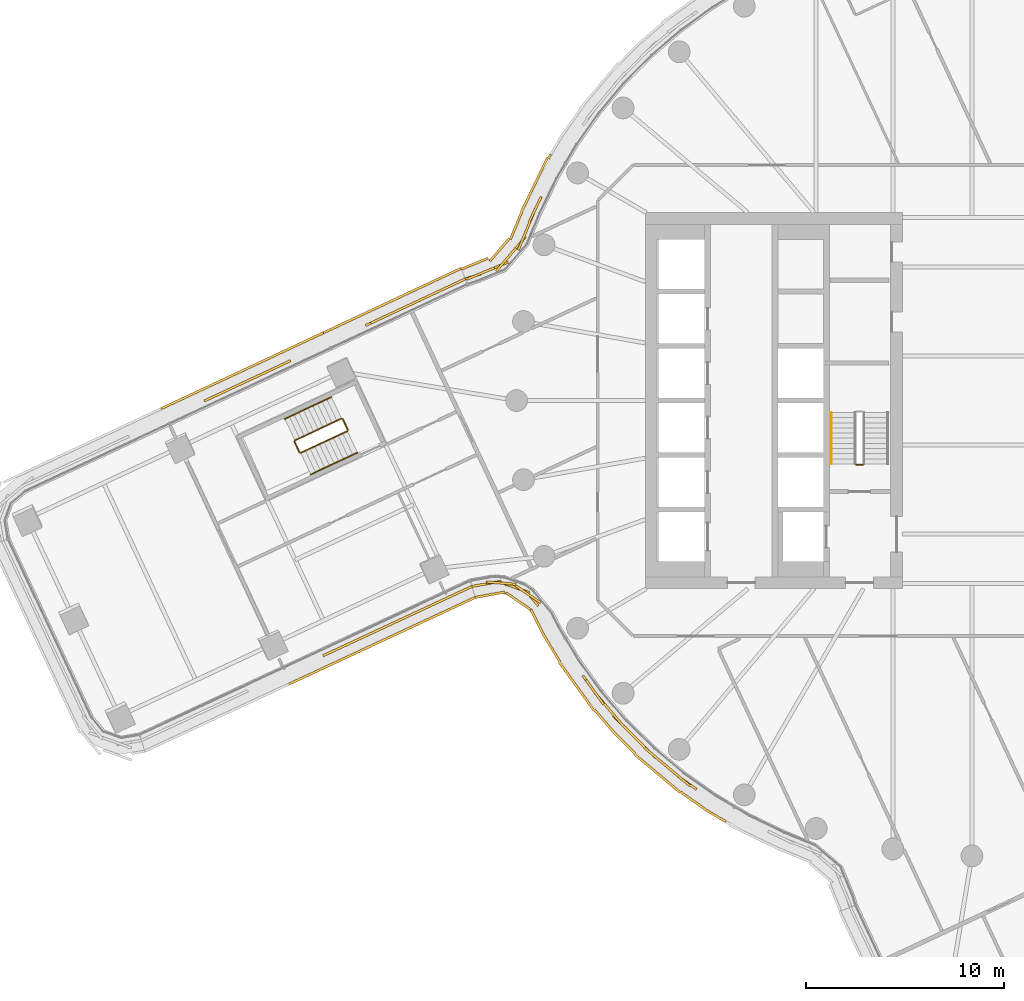
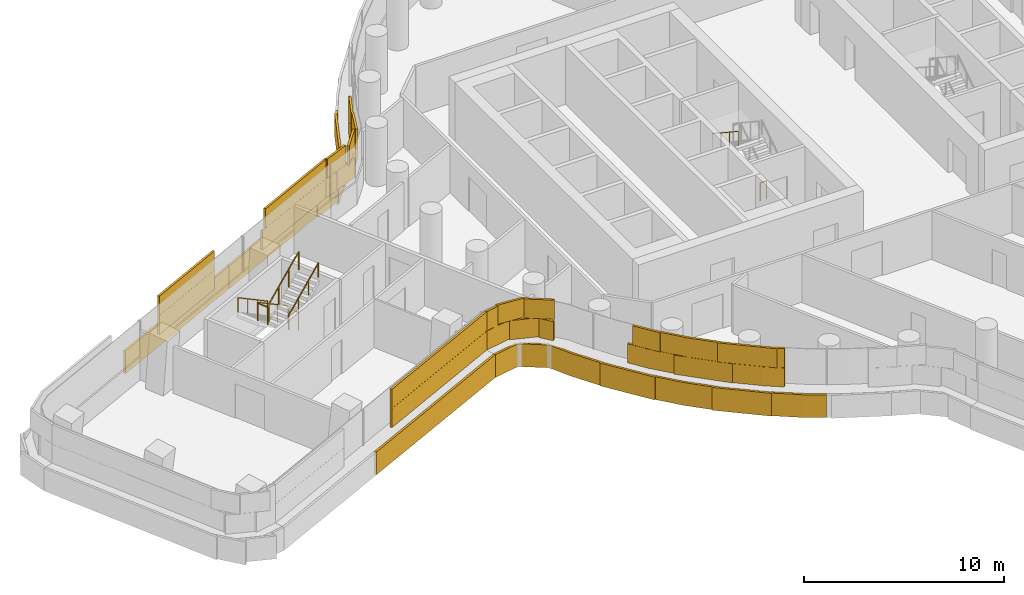
# One storey, part 31 of 36: 8 railings, 5 coverings.
"""IFC4 building model written with IfcOpenShell, lengths in metres."""

from ifc_helpers import new_model, si_unit, direction, frame, origin, origin_2d, place, context, subcontext, project, spatial, rectangle, circle, extrude, material, layer, layer_set, type_object, element, save


model = new_model("IFC4")

# Units and contexts
model_context = context("Model", 3, precision=1e-05, world=origin(), true_north=direction((0.0, 1.0)))
body_context = subcontext(model_context, "Body", "Model", "MODEL_VIEW")
ifc_project = project(units=[si_unit("LENGTHUNIT", "METRE"), si_unit("AREAUNIT", "SQUARE_METRE"), si_unit("VOLUMEUNIT", "CUBIC_METRE"), si_unit("PLANEANGLEUNIT", "RADIAN"), si_unit("MASSUNIT", "GRAM", prefix="KILO")], contexts=[model_context])

# Site, building, storey
site_placement = place(None, origin())
site = spatial("IfcSite", under=ifc_project, at=site_placement, CompositionType="ELEMENT")
building_placement = place(site_placement, origin())
building = spatial("IfcBuilding", under=site, at=building_placement, Name="Tamarind Cross Interchange Tower", CompositionType="ELEMENT")
storey_placement = place(building_placement, frame((0.0, 0.0, 124.75)))
storey = spatial("IfcBuildingStorey", under=building, at=storey_placement, Name="L30", CompositionType="ELEMENT", Elevation=124.75)

# Railings
ifc_material_1 = material(Name="Stair guard")
railing_type_1 = type_object("IfcRailingType", Name="Stair guard", PredefinedType="GUARDRAIL", material=ifc_material_1)
railing_1_placement = place(storey_placement, frame((-5.5, -3.25, 0.0)))
element("IfcRailing", 1, at=railing_1_placement, inside=storey, type_object=railing_type_1, Name="L30 ST1 stair guard 4", PredefinedType="GUARDRAIL", context=body_context, shape_type="SweptSolid", body=[
    extrude(circle(Radius=0.02392578125, at=origin_2d()), frame((0.0, 0.0, 1.076171875), z_axis=(-1.0, 0.0, 0.0), x_axis=(0.0, -1.0, 0.0)), (0.0, 0.0, 1.0), 0.35009765625),
    extrude(circle(Radius=0.02099609375, at=origin_2d()), origin(), (0.0, 0.0, 1.0), 1.052001953125),
    extrude(circle(Radius=0.02099609375, at=origin_2d()), frame((-0.35009765625, 0.0, 0.0)), (0.0, 0.0, 1.0), 1.052001953125),
])
railing_2_placement = place(storey_placement, frame((-31.84326171875, -0.9072265625, 0.17041015625)))
element("IfcRailing", 2, at=railing_2_placement, inside=storey, type_object=railing_type_1, Name="L30 ST5 stair guard 1", PredefinedType="GUARDRAIL", context=body_context, shape_type="SweptSolid", body=[
    extrude(circle(Radius=0.02392578125, at=origin_2d()), frame((0.0, 0.0, 1.076171875), z_axis=(-0.75748546957, -0.354398913971, 0.548285667482), x_axis=(0.423774578219, -0.905767689231, 0.0)), (0.0, 0.0, 1.0), 3.10888671875),
    extrude(circle(Radius=0.02099609375, at=origin_2d()), origin(), (0.0, 0.0, 1.0), 1.052001953125),
    extrude(circle(Radius=0.02099609375, at=origin_2d()), frame((-0.784912109375, -0.3671875, 0.568115234375)), (0.0, 0.0, 1.0), 1.052001953125),
    extrude(circle(Radius=0.02099609375, at=origin_2d()), frame((-1.570068359375, -0.734619140625, 1.136474609375)), (0.0, 0.0, 1.0), 1.052001953125),
    extrude(circle(Radius=0.02099609375, at=origin_2d()), frame((-2.35498046875, -1.101806640625, 1.70458984375)), (0.0, 0.0, 1.0), 1.052001953125),
])
railing_3_placement = place(storey_placement, frame((-34.222412109375, -2.075439453125, 1.875)))
element("IfcRailing", 3, at=railing_3_placement, inside=storey, type_object=railing_type_1, Name="L30 ST5 stair guard 2", PredefinedType="GUARDRAIL", context=body_context, shape_type="SweptSolid", body=[
    extrude(circle(Radius=0.02392578125, at=origin_2d()), frame((0.0, 0.0, 1.076171875), z_axis=(0.423954307778, -0.905683578805, 0.0), x_axis=(0.905683578805, 0.423954307778, 0.0)), (0.0, 0.0, 1.0), 0.60009765625),
    extrude(circle(Radius=0.02099609375, at=origin_2d()), origin(), (0.0, 0.0, 1.0), 1.052001953125),
    extrude(circle(Radius=0.02099609375, at=origin_2d()), frame((0.25439453125, -0.54345703125, 0.0)), (0.0, 0.0, 1.0), 1.052001953125),
])
railing_4_placement = place(storey_placement, frame((-33.901611328125, -2.64306640625, 2.04541015625)))
element("IfcRailing", 4, at=railing_4_placement, inside=storey, type_object=railing_type_1, Name="L30 ST5 stair guard 3", PredefinedType="GUARDRAIL", context=body_context, shape_type="SweptSolid", body=[
    extrude(circle(Radius=0.02392578125, at=origin_2d()), frame((0.0, 0.0, 1.076171875), z_axis=(0.75748546957, 0.354398913971, 0.548285667482), x_axis=(-0.423774578219, 0.905767689231, 0.0)), (0.0, 0.0, 1.0), 3.10888671875),
    extrude(circle(Radius=0.02099609375, at=origin_2d()), origin(), (0.0, 0.0, 1.0), 1.052001953125),
    extrude(circle(Radius=0.02099609375, at=origin_2d()), frame((0.784912109375, 0.3671875, 0.568115234375)), (0.0, 0.0, 1.0), 1.052001953125),
    extrude(circle(Radius=0.02099609375, at=origin_2d()), frame((1.570068359375, 0.734619140625, 1.136474609375)), (0.0, 0.0, 1.0), 1.052001953125),
    extrude(circle(Radius=0.02099609375, at=origin_2d()), frame((2.35498046875, 1.101806640625, 1.70458984375)), (0.0, 0.0, 1.0), 1.052001953125),
])
railing_5_placement = place(storey_placement, frame((-31.77685546875, -0.93115234375, 0.0)))
element("IfcRailing", 5, at=railing_5_placement, inside=storey, type_object=railing_type_1, Name="L30 ST5 stair guard 4", PredefinedType="GUARDRAIL", context=body_context, shape_type="SweptSolid", body=[
    extrude(circle(Radius=0.02392578125, at=origin_2d()), frame((0.0, 0.0, 1.076171875), z_axis=(0.423954307778, -0.905683578805, 0.0), x_axis=(0.905683578805, 0.423954307778, 0.0)), (0.0, 0.0, 1.0), 0.60009765625),
    extrude(circle(Radius=0.02099609375, at=origin_2d()), origin(), (0.0, 0.0, 1.0), 1.052001953125),
    extrude(circle(Radius=0.02099609375, at=origin_2d()), frame((0.25439453125, -0.54345703125, 0.0)), (0.0, 0.0, 1.0), 1.052001953125),
])
ifc_material_2 = material(Name="Stair handrail")
railing_type_2 = type_object("IfcRailingType", Name="Stair handrail", PredefinedType="HANDRAIL", material=ifc_material_2)
railing_6_placement = place(storey_placement, frame((-7.10009765625, -0.60009765625, 2.04541015625)))
element("IfcRailing", 6, at=railing_6_placement, inside=storey, type_object=railing_type_2, Name="L30 ST1 stair handrail 2", PredefinedType="HANDRAIL", context=body_context, shape_type="SweptSolid", body=[
    extrude(circle(Radius=0.02392578125, at=origin_2d()), frame((0.0, 0.0, 0.8759765625), z_axis=(0.0, -0.836278606002, 0.548304744775), x_axis=(1.0, 0.0, 0.0)), (0.0, 0.0, 1.0), 3.10888671875),
    extrude(circle(Radius=0.02099609375, at=origin_2d()), origin(), (0.0, 0.0, 1.0), 0.851806640625),
    extrude(circle(Radius=0.02099609375, at=origin_2d()), frame((0.0, -0.86669921875, 0.568115234375)), (0.0, 0.0, 1.0), 0.851806640625),
    extrude(circle(Radius=0.02099609375, at=origin_2d()), frame((0.0, -1.733154296875, 1.136474609375)), (0.0, 0.0, 1.0), 0.851806640625),
    extrude(circle(Radius=0.02099609375, at=origin_2d()), frame((0.0, -2.599853515625, 1.70458984375)), (0.0, 0.0, 1.0), 0.851806640625),
])
railing_7_placement = place(storey_placement, frame((-32.351806640625, 0.1796875, 0.17041015625)))
element("IfcRailing", 7, at=railing_7_placement, inside=storey, type_object=railing_type_2, Name="L30 ST5 stair handrail 1", PredefinedType="HANDRAIL", context=body_context, shape_type="SweptSolid", body=[
    extrude(circle(Radius=0.02392578125, at=origin_2d()), frame((0.0, 0.0, 0.8759765625), z_axis=(-0.75748546957, -0.354398913971, 0.548285667482), x_axis=(0.423774578219, -0.905767689231, 0.0)), (0.0, 0.0, 1.0), 3.10888671875),
    extrude(circle(Radius=0.02099609375, at=origin_2d()), origin(), (0.0, 0.0, 1.0), 0.851806640625),
    extrude(circle(Radius=0.02099609375, at=origin_2d()), frame((-0.784912109375, -0.3671875, 0.568115234375)), (0.0, 0.0, 1.0), 0.851806640625),
    extrude(circle(Radius=0.02099609375, at=origin_2d()), frame((-1.570068359375, -0.734619140625, 1.136474609375)), (0.0, 0.0, 1.0), 0.851806640625),
    extrude(circle(Radius=0.02099609375, at=origin_2d()), frame((-2.35498046875, -1.101806640625, 1.70458984375)), (0.0, 0.0, 1.0), 0.851806640625),
])
railing_8_placement = place(storey_placement, frame((-33.39306640625, -3.72998046875, 2.04541015625)))
element("IfcRailing", 8, at=railing_8_placement, inside=storey, type_object=railing_type_2, Name="L30 ST5 stair handrail 2", PredefinedType="HANDRAIL", context=body_context, shape_type="SweptSolid", body=[
    extrude(circle(Radius=0.02392578125, at=origin_2d()), frame((0.0, 0.0, 0.8759765625), z_axis=(0.75748546957, 0.354398913971, 0.548285667482), x_axis=(-0.423774578219, 0.905767689231, 0.0)), (0.0, 0.0, 1.0), 3.10888671875),
    extrude(circle(Radius=0.02099609375, at=origin_2d()), origin(), (0.0, 0.0, 1.0), 0.851806640625),
    extrude(circle(Radius=0.02099609375, at=origin_2d()), frame((0.784912109375, 0.3671875, 0.568115234375)), (0.0, 0.0, 1.0), 0.851806640625),
    extrude(circle(Radius=0.02099609375, at=origin_2d()), frame((1.570068359375, 0.734619140625, 1.136474609375)), (0.0, 0.0, 1.0), 0.851806640625),
    extrude(circle(Radius=0.02099609375, at=origin_2d()), frame((2.35498046875, 1.101806640625, 1.70458984375)), (0.0, 0.0, 1.0), 0.851806640625),
])

# Coverings
ifc_material_3 = material(Name="Terracotta", Category="masonry")
ifc_layer = layer(ifc_material_3, 0.1201171875)
ifc_layer_set = layer_set([ifc_layer], Name="Terracotta")
covering_type = type_object("IfcCoveringType", Name="Terracotta baguette screen unit", PredefinedType="MOLDING", material=ifc_layer_set)
covering_1_placement = place(storey_placement, origin())
element("IfcCovering", 9, at=covering_1_placement, inside=storey, type_object=covering_type, Name="SCR-L30-01-01", PredefinedType="MOLDING", context=body_context, shape_type="SweptSolid", body=[
    extrude(rectangle(XDim=0.376220703125, YDim=0.1201171875, at=origin_2d()), frame((-32.599609375, -12.807861328125, 1.404052734375), z_axis=(0.0, 0.0, 1.0), x_axis=(0.906515024732, 0.422173554282, 0.0)), (0.0, 0.0, 1.0), 1.1669921875),
    extrude(rectangle(XDim=1.52001953125, YDim=0.1201171875, at=origin_2d()), frame((-31.75390625, -12.4140625, 1.404052734375), z_axis=(0.0, 0.0, 1.0), x_axis=(0.906515024732, 0.422173554282, 0.0)), (0.0, 0.0, 1.0), 1.1669921875),
    extrude(rectangle(XDim=1.52001953125, YDim=0.1201171875, at=origin_2d()), frame((-30.39404296875, -11.78076171875, 1.404052734375), z_axis=(0.0, 0.0, 1.0), x_axis=(0.906515024732, 0.422173554282, 0.0)), (0.0, 0.0, 1.0), 1.1669921875),
    extrude(rectangle(XDim=1.52001953125, YDim=0.1201171875, at=origin_2d()), frame((-29.0341796875, -11.1474609375, 1.404052734375), z_axis=(0.0, 0.0, 1.0), x_axis=(0.906515024732, 0.422173554282, 0.0)), (0.0, 0.0, 1.0), 1.1669921875),
    extrude(rectangle(XDim=1.52001953125, YDim=0.1201171875, at=origin_2d()), frame((-27.674560546875, -10.51416015625, 1.404052734375), z_axis=(0.0, 0.0, 1.0), x_axis=(0.906515024732, 0.422173554282, 0.0)), (0.0, 0.0, 1.0), 1.1669921875),
    extrude(rectangle(XDim=1.52001953125, YDim=0.1201171875, at=origin_2d()), frame((-26.314697265625, -9.880859375, 1.404052734375), z_axis=(0.0, 0.0, 1.0), x_axis=(0.906515024732, 0.422173554282, 0.0)), (0.0, 0.0, 1.0), 1.1669921875),
    extrude(rectangle(XDim=0.423828125, YDim=0.1201171875, at=origin_2d()), frame((-25.447265625, -9.47705078125, 1.404052734375), z_axis=(0.0, 0.0, 1.0), x_axis=(0.906515024732, 0.422173554282, 0.0)), (0.0, 0.0, 1.0), 1.1669921875),
    extrude(rectangle(XDim=1.126220703125, YDim=0.1201171875, at=origin_2d()), frame((-32.259765625, -12.649658203125, 2.5791015625), z_axis=(0.0, 0.0, 1.0), x_axis=(0.906515024732, 0.422173554282, 0.0)), (0.0, 0.0, 1.0), 1.1669921875),
    extrude(rectangle(XDim=1.52001953125, YDim=0.1201171875, at=origin_2d()), frame((-31.073974609375, -12.097412109375, 2.5791015625), z_axis=(0.0, 0.0, 1.0), x_axis=(0.906515024732, 0.422173554282, 0.0)), (0.0, 0.0, 1.0), 1.1669921875),
    extrude(rectangle(XDim=1.52001953125, YDim=0.1201171875, at=origin_2d()), frame((-29.714111328125, -11.464111328125, 2.5791015625), z_axis=(0.0, 0.0, 1.0), x_axis=(0.906515024732, 0.422173554282, 0.0)), (0.0, 0.0, 1.0), 1.1669921875),
    extrude(rectangle(XDim=1.52001953125, YDim=0.1201171875, at=origin_2d()), frame((-28.3544921875, -10.830810546875, 2.5791015625), z_axis=(0.0, 0.0, 1.0), x_axis=(0.906515024732, 0.422173554282, 0.0)), (0.0, 0.0, 1.0), 1.1669921875),
    extrude(rectangle(XDim=1.52001953125, YDim=0.1201171875, at=origin_2d()), frame((-26.99462890625, -10.197509765625, 2.5791015625), z_axis=(0.0, 0.0, 1.0), x_axis=(0.906515024732, 0.422173554282, 0.0)), (0.0, 0.0, 1.0), 1.1669921875),
    extrude(rectangle(XDim=1.173828125, YDim=0.1201171875, at=origin_2d()), frame((-25.787109375, -9.63525390625, 2.5791015625), z_axis=(0.0, 0.0, 1.0), x_axis=(0.906515024732, 0.422173554282, 0.0)), (0.0, 0.0, 1.0), 1.1669921875),
    extrude(rectangle(XDim=0.975830078125, YDim=0.1201171875, at=origin_2d()), frame((-34.052490234375, -14.11767578125, 0.00390625), z_axis=(0.0, 0.0, 1.0), x_axis=(0.906515024732, 0.422173554282, 0.0)), (0.0, 0.0, 1.0), 1.39208984375),
    extrude(rectangle(XDim=1.52001953125, YDim=0.1201171875, at=origin_2d()), frame((-32.939208984375, -13.599365234375, 0.00390625), z_axis=(0.0, 0.0, 1.0), x_axis=(0.906515024732, 0.422173554282, 0.0)), (0.0, 0.0, 1.0), 1.39208984375),
    extrude(rectangle(XDim=1.52001953125, YDim=0.1201171875, at=origin_2d()), frame((-31.57958984375, -12.966064453125, 0.00390625), z_axis=(0.0, 0.0, 1.0), x_axis=(0.906515024732, 0.422173554282, 0.0)), (0.0, 0.0, 1.0), 1.39208984375),
    extrude(rectangle(XDim=1.52001953125, YDim=0.1201171875, at=origin_2d()), frame((-30.2197265625, -12.332763671875, 0.00390625), z_axis=(0.0, 0.0, 1.0), x_axis=(0.906515024732, 0.422173554282, 0.0)), (0.0, 0.0, 1.0), 1.39208984375),
    extrude(rectangle(XDim=1.52001953125, YDim=0.1201171875, at=origin_2d()), frame((-28.85986328125, -11.699462890625, 0.00390625), z_axis=(0.0, 0.0, 1.0), x_axis=(0.906515024732, 0.422173554282, 0.0)), (0.0, 0.0, 1.0), 1.39208984375),
    extrude(rectangle(XDim=1.52001953125, YDim=0.1201171875, at=origin_2d()), frame((-27.500244140625, -11.066162109375, 0.00390625), z_axis=(0.0, 0.0, 1.0), x_axis=(0.906515024732, 0.422173554282, 0.0)), (0.0, 0.0, 1.0), 1.39208984375),
    extrude(rectangle(XDim=1.52001953125, YDim=0.1201171875, at=origin_2d()), frame((-26.140380859375, -10.432861328125, 0.00390625), z_axis=(0.0, 0.0, 1.0), x_axis=(0.906515024732, 0.422173554282, 0.0)), (0.0, 0.0, 1.0), 1.39208984375),
    extrude(rectangle(XDim=0.4248046875, YDim=0.1201171875, at=origin_2d()), frame((-25.277099609375, -10.031005859375, 0.00390625), z_axis=(0.0, 0.0, 1.0), x_axis=(0.906515024732, 0.422173554282, 0.0)), (0.0, 0.0, 1.0), 1.39208984375),
])
covering_2_placement = place(storey_placement, origin())
element("IfcCovering", 10, at=covering_2_placement, inside=storey, type_object=covering_type, Name="SCR-L30-02-00", PredefinedType="MOLDING", context=body_context, shape_type="SweptSolid", body=[
    extrude(rectangle(XDim=1.510009765625, YDim=0.1201171875, at=origin_2d()), frame((-24.521484375, -9.25634765625, 1.404052734375), z_axis=(0.0, 0.0, 1.0), x_axis=(0.984077617934, 0.177739252505, 0.0)), (0.0, 0.0, 1.0), 1.1669921875),
    extrude(rectangle(XDim=1.52001953125, YDim=0.1201171875, at=origin_2d()), frame((-23.06591796875, -9.44384765625, 1.404052734375), z_axis=(0.0, 0.0, 1.0), x_axis=(0.943013279713, -0.332755096556, 0.0)), (0.0, 0.0, 1.0), 1.1669921875),
    extrude(rectangle(XDim=0.78173828125, YDim=0.1201171875, at=origin_2d()), frame((-22.146240234375, -10.06884765625, 1.404052734375), z_axis=(0.0, 0.0, 1.0), x_axis=(0.636515529279, -0.771263885441, 0.0)), (0.0, 0.0, 1.0), 1.1669921875),
    extrude(rectangle(XDim=1.0380859375, YDim=0.1201171875, at=origin_2d()), frame((-19.34716796875, -14.3154296875, 1.404052734375), z_axis=(0.0, 0.0, 1.0), x_axis=(0.584573890505, -0.811340475102, 0.0)), (0.0, 0.0, 1.0), 1.1669921875),
    extrude(rectangle(XDim=1.52001953125, YDim=0.1201171875, at=origin_2d()), frame((-18.57080078125, -15.3115234375, 1.404052734375), z_axis=(0.0, 0.0, 1.0), x_axis=(0.64957723968, -0.760295606781, 0.0)), (0.0, 0.0, 1.0), 1.1669921875),
    extrude(rectangle(XDim=1.52001953125, YDim=0.1201171875, at=origin_2d()), frame((-17.591552734375, -16.447509765625, 1.404052734375), z_axis=(0.0, 0.0, 1.0), x_axis=(0.710143317658, -0.704057148523, 0.0)), (0.0, 0.0, 1.0), 1.1669921875),
    extrude(rectangle(XDim=1.52001953125, YDim=0.1201171875, at=origin_2d()), frame((-16.5263671875, -17.50341796875, 1.404052734375), z_axis=(0.0, 0.0, 1.0), x_axis=(0.710143317658, -0.704057148523, 0.0)), (0.0, 0.0, 1.0), 1.1669921875),
    extrude(rectangle(XDim=1.52001953125, YDim=0.1201171875, at=origin_2d()), frame((-15.400146484375, -18.492919921875, 1.404052734375), z_axis=(0.0, 0.0, 1.0), x_axis=(0.765858396687, -0.643009266048, 0.0)), (0.0, 0.0, 1.0), 1.1669921875),
    extrude(rectangle(XDim=1.14013671875, YDim=0.1201171875, at=origin_2d()), frame((-14.3720703125, -19.311279296875, 1.404052734375), z_axis=(0.0, 0.0, 1.0), x_axis=(0.816341886298, -0.577568978284, 0.0)), (0.0, 0.0, 1.0), 1.1669921875),
    extrude(rectangle(XDim=0.760009765625, YDim=0.1201171875, at=origin_2d()), frame((-24.890625, -9.322998046875, 2.5791015625), z_axis=(0.0, 0.0, 1.0), x_axis=(0.984077617934, 0.177739252505, 0.0)), (0.0, 0.0, 1.0), 1.1669921875),
    extrude(rectangle(XDim=1.52001953125, YDim=0.1201171875, at=origin_2d()), frame((-23.77880859375, -9.22021484375, 2.5791015625), z_axis=(0.0, 0.0, 1.0), x_axis=(0.99678029277, -0.080181344121, 0.0)), (0.0, 0.0, 1.0), 1.1669921875),
    extrude(rectangle(XDim=1.52001953125, YDim=0.1201171875, at=origin_2d()), frame((-22.406005859375, -9.78662109375, 2.5791015625), z_axis=(0.0, 0.0, 1.0), x_axis=(0.826361999355, -0.56313927764, 0.0)), (0.0, 0.0, 1.0), 1.1669921875),
    extrude(rectangle(XDim=1.52001953125, YDim=0.1201171875, at=origin_2d()), frame((-19.046630859375, -14.732421875, 2.5791015625), z_axis=(0.0, 0.0, 1.0), x_axis=(0.584573890505, -0.811340475102, 0.0)), (0.0, 0.0, 1.0), 1.1669921875),
    extrude(rectangle(XDim=1.52001953125, YDim=0.1201171875, at=origin_2d()), frame((-18.083740234375, -15.8818359375, 2.5791015625), z_axis=(0.0, 0.0, 1.0), x_axis=(0.64957723968, -0.760295606781, 0.0)), (0.0, 0.0, 1.0), 1.1669921875),
    extrude(rectangle(XDim=1.52001953125, YDim=0.1201171875, at=origin_2d()), frame((-17.058837890625, -16.9755859375, 2.5791015625), z_axis=(0.0, 0.0, 1.0), x_axis=(0.710143317658, -0.704057148523, 0.0)), (0.0, 0.0, 1.0), 1.1669921875),
    extrude(rectangle(XDim=1.52001953125, YDim=0.1201171875, at=origin_2d()), frame((-15.974609375, -18.0107421875, 2.5791015625), z_axis=(0.0, 0.0, 1.0), x_axis=(0.765858396687, -0.643009266048, 0.0)), (0.0, 0.0, 1.0), 1.1669921875),
    extrude(rectangle(XDim=1.52001953125, YDim=0.1201171875, at=origin_2d()), frame((-14.825927734375, -18.97509765625, 2.5791015625), z_axis=(0.0, 0.0, 1.0), x_axis=(0.765858396687, -0.643009266048, 0.0)), (0.0, 0.0, 1.0), 1.1669921875),
    extrude(rectangle(XDim=0.39013671875, YDim=0.1201171875, at=origin_2d()), frame((-14.06591796875, -19.52783203125, 2.5791015625), z_axis=(0.0, 0.0, 1.0), x_axis=(0.816341886298, -0.577568978284, 0.0)), (0.0, 0.0, 1.0), 1.1669921875),
    extrude(rectangle(XDim=1.510009765625, YDim=0.1201171875, at=origin_2d()), frame((-24.341552734375, -9.80712890625, 0.00390625), z_axis=(0.0, 0.0, 1.0), x_axis=(0.984077617934, 0.177739252505, 0.0)), (0.0, 0.0, 1.0), 1.39208984375),
    extrude(rectangle(XDim=1.52001953125, YDim=0.1201171875, at=origin_2d()), frame((-22.9169921875, -10.1328125, 0.00390625), z_axis=(0.0, 0.0, 1.0), x_axis=(0.826361999355, -0.56313927764, 0.0)), (0.0, 0.0, 1.0), 1.39208984375),
    extrude(rectangle(XDim=1.52001953125, YDim=0.1201171875, at=origin_2d()), frame((-21.929443359375, -11.249755859375, 0.00390625), z_axis=(0.0, 0.0, 1.0), x_axis=(0.449403437946, -0.893328914769, 0.0)), (0.0, 0.0, 1.0), 1.39208984375),
    extrude(rectangle(XDim=1.52001953125, YDim=0.1201171875, at=origin_2d()), frame((-21.19921875, -12.558837890625, 0.00390625), z_axis=(0.0, 0.0, 1.0), x_axis=(0.515577308909, -0.856843065292, 0.0)), (0.0, 0.0, 1.0), 1.39208984375),
    extrude(rectangle(XDim=1.52001953125, YDim=0.1201171875, at=origin_2d()), frame((-20.404296875, -13.829833984375, 0.00390625), z_axis=(0.0, 0.0, 1.0), x_axis=(0.584573890505, -0.811340475102, 0.0)), (0.0, 0.0, 1.0), 1.39208984375),
    extrude(rectangle(XDim=1.52001953125, YDim=0.1201171875, at=origin_2d()), frame((-19.52734375, -15.046875, 0.00390625), z_axis=(0.0, 0.0, 1.0), x_axis=(0.584573890505, -0.811340475102, 0.0)), (0.0, 0.0, 1.0), 1.39208984375),
    extrude(rectangle(XDim=1.52001953125, YDim=0.1201171875, at=origin_2d()), frame((-18.56787109375, -16.198974609375, 0.00390625), z_axis=(0.0, 0.0, 1.0), x_axis=(0.64957723968, -0.760295606781, 0.0)), (0.0, 0.0, 1.0), 1.39208984375),
    extrude(rectangle(XDim=1.52001953125, YDim=0.1201171875, at=origin_2d()), frame((-17.548828125, -17.298095703125, 0.00390625), z_axis=(0.0, 0.0, 1.0), x_axis=(0.710143317658, -0.704057148523, 0.0)), (0.0, 0.0, 1.0), 1.39208984375),
    extrude(rectangle(XDim=1.52001953125, YDim=0.1201171875, at=origin_2d()), frame((-16.47265625, -18.342041015625, 0.00390625), z_axis=(0.0, 0.0, 1.0), x_axis=(0.765858396687, -0.643009266048, 0.0)), (0.0, 0.0, 1.0), 1.39208984375),
    extrude(rectangle(XDim=1.52001953125, YDim=0.1201171875, at=origin_2d()), frame((-15.32373046875, -19.306640625, 0.00390625), z_axis=(0.0, 0.0, 1.0), x_axis=(0.765858396687, -0.643009266048, 0.0)), (0.0, 0.0, 1.0), 1.39208984375),
    extrude(rectangle(XDim=1.52001953125, YDim=0.1201171875, at=origin_2d()), frame((-14.116455078125, -20.1953125, 0.00390625), z_axis=(0.0, 0.0, 1.0), x_axis=(0.816341886298, -0.577568978284, 0.0)), (0.0, 0.0, 1.0), 1.39208984375),
    extrude(rectangle(XDim=1.255859375, YDim=0.1201171875, at=origin_2d()), frame((-12.977783203125, -20.951416015625, 0.00390625), z_axis=(0.0, 0.0, 1.0), x_axis=(0.861248933065, -0.508183308752, 0.0)), (0.0, 0.0, 1.0), 1.39208984375),
])
covering_3_placement = place(storey_placement, origin())
element("IfcCovering", 11, at=covering_3_placement, inside=storey, type_object=covering_type, Name="SCR-L30-14-01", PredefinedType="MOLDING", context=body_context, shape_type="SweptSolid", body=[
    extrude(rectangle(XDim=0.6796875, YDim=0.1201171875, at=origin_2d()), frame((-21.900390625, 9.990478515625, 1.404052734375), z_axis=(0.0, 0.0, 1.0), x_axis=(-0.435326231914, -0.900272776334, 0.0)), (0.0, 0.0, 1.0), 1.1669921875),
    extrude(rectangle(XDim=1.52001953125, YDim=0.1201171875, at=origin_2d()), frame((-22.3388671875, 8.99853515625, 1.404052734375), z_axis=(0.0, 0.0, 1.0), x_axis=(-0.381712134917, -0.924281259172, 0.0)), (0.0, 0.0, 1.0), 1.1669921875),
    extrude(rectangle(XDim=1.52001953125, YDim=0.1201171875, at=origin_2d()), frame((-23.04248046875, 7.692138671875, 1.404052734375), z_axis=(0.0, 0.0, 1.0), x_axis=(-0.648478940501, -0.761232595024, 0.0)), (0.0, 0.0, 1.0), 1.1669921875),
    extrude(rectangle(XDim=1.52001953125, YDim=0.1201171875, at=origin_2d()), frame((-24.12744140625, 6.704833984375, 1.404052734375), z_axis=(0.0, 0.0, 1.0), x_axis=(-0.923869232899, -0.382708296882, 0.0)), (0.0, 0.0, 1.0), 1.1669921875),
    extrude(rectangle(XDim=0.83251953125, YDim=0.1201171875, at=origin_2d()), frame((-25.20361328125, 6.26953125, 1.404052734375), z_axis=(0.0, 0.0, 1.0), x_axis=(-0.953321456782, -0.301957281813, 0.0)), (0.0, 0.0, 1.0), 1.1669921875),
    extrude(rectangle(XDim=1.4296875, YDim=0.1201171875, at=origin_2d()), frame((-22.063720703125, 9.65283203125, 2.5791015625), z_axis=(0.0, 0.0, 1.0), x_axis=(-0.435326231914, -0.900272776334, 0.0)), (0.0, 0.0, 1.0), 1.1669921875),
    extrude(rectangle(XDim=1.52001953125, YDim=0.1201171875, at=origin_2d()), frame((-22.625244140625, 8.305419921875, 2.5791015625), z_axis=(0.0, 0.0, 1.0), x_axis=(-0.381712134917, -0.924281259172, 0.0)), (0.0, 0.0, 1.0), 1.1669921875),
    extrude(rectangle(XDim=1.52001953125, YDim=0.1201171875, at=origin_2d()), frame((-23.52880859375, 7.121337890625, 2.5791015625), z_axis=(0.0, 0.0, 1.0), x_axis=(-0.648478940501, -0.761232595024, 0.0)), (0.0, 0.0, 1.0), 1.1669921875),
    extrude(rectangle(XDim=1.52001953125, YDim=0.1201171875, at=origin_2d()), frame((-24.8203125, 6.417724609375, 2.5791015625), z_axis=(0.0, 0.0, 1.0), x_axis=(-0.923869232899, -0.382708296882, 0.0)), (0.0, 0.0, 1.0), 1.1669921875),
    extrude(rectangle(XDim=0.08251953125, YDim=0.1201171875, at=origin_2d()), frame((-25.56103515625, 6.15625, 2.5791015625), z_axis=(0.0, 0.0, 1.0), x_axis=(-0.953321456782, -0.301957281813, 0.0)), (0.0, 0.0, 1.0), 1.1669921875),
    extrude(rectangle(XDim=0.26416015625, YDim=0.1201171875, at=origin_2d()), frame((-21.337646484375, 12.3232421875, 0.00390625), z_axis=(0.0, 0.0, 1.0), x_axis=(-0.508183308752, -0.861248933065, 0.0)), (0.0, 0.0, 1.0), 1.39208984375),
    extrude(rectangle(XDim=1.52001953125, YDim=0.1201171875, at=origin_2d()), frame((-21.774658203125, 11.569091796875, 0.00390625), z_axis=(0.0, 0.0, 1.0), x_axis=(-0.435326231914, -0.900272776334, 0.0)), (0.0, 0.0, 1.0), 1.39208984375),
    extrude(rectangle(XDim=1.52001953125, YDim=0.1201171875, at=origin_2d()), frame((-22.427734375, 10.218505859375, 0.00390625), z_axis=(0.0, 0.0, 1.0), x_axis=(-0.435326231914, -0.900272776334, 0.0)), (0.0, 0.0, 1.0), 1.39208984375),
    extrude(rectangle(XDim=1.52001953125, YDim=0.1201171875, at=origin_2d()), frame((-23.024169921875, 8.843017578125, 0.00390625), z_axis=(0.0, 0.0, 1.0), x_axis=(-0.381712134917, -0.924281259172, 0.0)), (0.0, 0.0, 1.0), 1.39208984375),
    extrude(rectangle(XDim=1.52001953125, YDim=0.1201171875, at=origin_2d()), frame((-23.860107421875, 7.617431640625, 0.00390625), z_axis=(0.0, 0.0, 1.0), x_axis=(-0.648478940501, -0.761232595024, 0.0)), (0.0, 0.0, 1.0), 1.39208984375),
    extrude(rectangle(XDim=1.45703125, YDim=0.1201171875, at=origin_2d()), frame((-25.115966796875, 6.91650390625, 0.00390625), z_axis=(0.0, 0.0, 1.0), x_axis=(-0.923869232899, -0.382708296882, 0.0)), (0.0, 0.0, 1.0), 1.39208984375),
])
covering_4_placement = place(storey_placement, origin())
element("IfcCovering", 12, at=covering_4_placement, inside=storey, type_object=covering_type, Name="SCR-L30-15-00", PredefinedType="MOLDING", context=body_context, shape_type="SweptSolid", body=[
    extrude(rectangle(XDim=1.510009765625, YDim=0.1201171875, at=origin_2d()), frame((-26.27490234375, 5.827392578125, 1.404052734375), z_axis=(0.0, 0.0, 1.0), x_axis=(-0.905752325355, -0.423807415123, 0.0)), (0.0, 0.0, 1.0), 1.1669921875),
    extrude(rectangle(XDim=1.52001953125, YDim=0.1201171875, at=origin_2d()), frame((-27.633544921875, 5.191650390625, 1.404052734375), z_axis=(0.0, 0.0, 1.0), x_axis=(-0.905752325355, -0.423807415123, 0.0)), (0.0, 0.0, 1.0), 1.1669921875),
    extrude(rectangle(XDim=1.52001953125, YDim=0.1201171875, at=origin_2d()), frame((-28.9921875, 4.555908203125, 1.404052734375), z_axis=(0.0, 0.0, 1.0), x_axis=(-0.905752325355, -0.423807415123, 0.0)), (0.0, 0.0, 1.0), 1.1669921875),
    extrude(rectangle(XDim=1.05712890625, YDim=0.1201171875, at=origin_2d()), frame((-30.145751953125, 4.016357421875, 1.404052734375), z_axis=(0.0, 0.0, 1.0), x_axis=(-0.905752325355, -0.423807415123, 0.0)), (0.0, 0.0, 1.0), 1.1669921875),
    extrude(rectangle(XDim=0.760009765625, YDim=0.1201171875, at=origin_2d()), frame((-25.935302734375, 5.986328125, 2.5791015625), z_axis=(0.0, 0.0, 1.0), x_axis=(-0.905752325355, -0.423807415123, 0.0)), (0.0, 0.0, 1.0), 1.1669921875),
    extrude(rectangle(XDim=1.52001953125, YDim=0.1201171875, at=origin_2d()), frame((-26.954345703125, 5.509521484375, 2.5791015625), z_axis=(0.0, 0.0, 1.0), x_axis=(-0.905752325355, -0.423807415123, 0.0)), (0.0, 0.0, 1.0), 1.1669921875),
    extrude(rectangle(XDim=1.52001953125, YDim=0.1201171875, at=origin_2d()), frame((-28.31298828125, 4.873779296875, 2.5791015625), z_axis=(0.0, 0.0, 1.0), x_axis=(-0.905752325355, -0.423807415123, 0.0)), (0.0, 0.0, 1.0), 1.1669921875),
    extrude(rectangle(XDim=1.52001953125, YDim=0.1201171875, at=origin_2d()), frame((-29.671630859375, 4.23828125, 2.5791015625), z_axis=(0.0, 0.0, 1.0), x_axis=(-0.905752325355, -0.423807415123, 0.0)), (0.0, 0.0, 1.0), 1.1669921875),
    extrude(rectangle(XDim=1.510009765625, YDim=0.1201171875, at=origin_2d()), frame((-26.48876953125, 6.361083984375, 0.00390625), z_axis=(0.0, 0.0, 1.0), x_axis=(-0.905752325355, -0.423807415123, 0.0)), (0.0, 0.0, 1.0), 1.39208984375),
    extrude(rectangle(XDim=1.52001953125, YDim=0.1201171875, at=origin_2d()), frame((-27.8427734375, 5.7275390625, 0.00390625), z_axis=(0.0, 0.0, 1.0), x_axis=(-0.905752325355, -0.423807415123, 0.0)), (0.0, 0.0, 1.0), 1.39208984375),
    extrude(rectangle(XDim=1.52001953125, YDim=0.1201171875, at=origin_2d()), frame((-29.201416015625, 5.091796875, 0.00390625), z_axis=(0.0, 0.0, 1.0), x_axis=(-0.905752325355, -0.423807415123, 0.0)), (0.0, 0.0, 1.0), 1.39208984375),
    extrude(rectangle(XDim=1.52001953125, YDim=0.1201171875, at=origin_2d()), frame((-30.56005859375, 4.4560546875, 0.00390625), z_axis=(0.0, 0.0, 1.0), x_axis=(-0.905752325355, -0.423807415123, 0.0)), (0.0, 0.0, 1.0), 1.39208984375),
    extrude(rectangle(XDim=1.52001953125, YDim=0.1201171875, at=origin_2d()), frame((-31.918701171875, 3.820556640625, 0.00390625), z_axis=(0.0, 0.0, 1.0), x_axis=(-0.905752325355, -0.423807415123, 0.0)), (0.0, 0.0, 1.0), 1.39208984375),
    extrude(rectangle(XDim=0.192138671875, YDim=0.1201171875, at=origin_2d()), frame((-32.676025390625, 3.466064453125, 0.00390625), z_axis=(0.0, 0.0, 1.0), x_axis=(-0.905752325355, -0.423807415123, 0.0)), (0.0, 0.0, 1.0), 1.39208984375),
])
covering_5_placement = place(storey_placement, origin())
element("IfcCovering", 13, at=covering_5_placement, inside=storey, type_object=covering_type, Name="SCR-L30-15-01", PredefinedType="MOLDING", context=body_context, shape_type="SweptSolid", body=[
    extrude(rectangle(XDim=0.7626953125, YDim=0.1201171875, at=origin_2d()), frame((-34.76513671875, 1.854736328125, 1.404052734375), z_axis=(0.0, 0.0, 1.0), x_axis=(-0.905752325355, -0.423807415123, 0.0)), (0.0, 0.0, 1.0), 1.1669921875),
    extrude(rectangle(XDim=1.52001953125, YDim=0.1201171875, at=origin_2d()), frame((-35.785400390625, 1.37744140625, 1.404052734375), z_axis=(0.0, 0.0, 1.0), x_axis=(-0.905752325355, -0.423807415123, 0.0)), (0.0, 0.0, 1.0), 1.1669921875),
    extrude(rectangle(XDim=1.52001953125, YDim=0.1201171875, at=origin_2d()), frame((-37.14404296875, 0.74169921875, 1.404052734375), z_axis=(0.0, 0.0, 1.0), x_axis=(-0.905752325355, -0.423807415123, 0.0)), (0.0, 0.0, 1.0), 1.1669921875),
    extrude(rectangle(XDim=1.063720703125, YDim=0.1201171875, at=origin_2d()), frame((-38.300537109375, 0.20068359375, 1.404052734375), z_axis=(0.0, 0.0, 1.0), x_axis=(-0.905752325355, -0.423807415123, 0.0)), (0.0, 0.0, 1.0), 1.1669921875),
    extrude(rectangle(XDim=1.52001953125, YDim=0.1201171875, at=origin_2d()), frame((-35.10595703125, 1.6953125, 2.5791015625), z_axis=(0.0, 0.0, 1.0), x_axis=(-0.905752325355, -0.423807415123, 0.0)), (0.0, 0.0, 1.0), 1.1669921875),
    extrude(rectangle(XDim=1.52001953125, YDim=0.1201171875, at=origin_2d()), frame((-36.464599609375, 1.0595703125, 2.5791015625), z_axis=(0.0, 0.0, 1.0), x_axis=(-0.905752325355, -0.423807415123, 0.0)), (0.0, 0.0, 1.0), 1.1669921875),
    extrude(rectangle(XDim=1.52001953125, YDim=0.1201171875, at=origin_2d()), frame((-37.8232421875, 0.423828125, 2.5791015625), z_axis=(0.0, 0.0, 1.0), x_axis=(-0.905752325355, -0.423807415123, 0.0)), (0.0, 0.0, 1.0), 1.1669921875),
    extrude(rectangle(XDim=0.313720703125, YDim=0.1201171875, at=origin_2d()), frame((-38.64013671875, 0.041748046875, 2.5791015625), z_axis=(0.0, 0.0, 1.0), x_axis=(-0.905752325355, -0.423807415123, 0.0)), (0.0, 0.0, 1.0), 1.1669921875),
    extrude(rectangle(XDim=1.32763671875, YDim=0.1201171875, at=origin_2d()), frame((-33.364501953125, 3.14404296875, 0.00390625), z_axis=(0.0, 0.0, 1.0), x_axis=(-0.905752325355, -0.423807415123, 0.0)), (0.0, 0.0, 1.0), 1.39208984375),
    extrude(rectangle(XDim=1.52001953125, YDim=0.1201171875, at=origin_2d()), frame((-34.635986328125, 2.549072265625, 0.00390625), z_axis=(0.0, 0.0, 1.0), x_axis=(-0.905752325355, -0.423807415123, 0.0)), (0.0, 0.0, 1.0), 1.39208984375),
    extrude(rectangle(XDim=1.52001953125, YDim=0.1201171875, at=origin_2d()), frame((-35.99462890625, 1.913330078125, 0.00390625), z_axis=(0.0, 0.0, 1.0), x_axis=(-0.905752325355, -0.423807415123, 0.0)), (0.0, 0.0, 1.0), 1.39208984375),
    extrude(rectangle(XDim=1.52001953125, YDim=0.1201171875, at=origin_2d()), frame((-37.353271484375, 1.277587890625, 0.00390625), z_axis=(0.0, 0.0, 1.0), x_axis=(-0.905752325355, -0.423807415123, 0.0)), (0.0, 0.0, 1.0), 1.39208984375),
    extrude(rectangle(XDim=1.52001953125, YDim=0.1201171875, at=origin_2d()), frame((-38.7119140625, 0.641845703125, 0.00390625), z_axis=(0.0, 0.0, 1.0), x_axis=(-0.905752325355, -0.423807415123, 0.0)), (0.0, 0.0, 1.0), 1.39208984375),
    extrude(rectangle(XDim=1.52001953125, YDim=0.1201171875, at=origin_2d()), frame((-40.070556640625, 0.006103515625, 0.00390625), z_axis=(0.0, 0.0, 1.0), x_axis=(-0.905752325355, -0.423807415123, 0.0)), (0.0, 0.0, 1.0), 1.39208984375),
    extrude(rectangle(XDim=0.239990234375, YDim=0.1201171875, at=origin_2d()), frame((-40.849365234375, -0.3583984375, 0.00390625), z_axis=(0.0, 0.0, 1.0), x_axis=(-0.905752325355, -0.423807415123, 0.0)), (0.0, 0.0, 1.0), 1.39208984375),
])

save(model, "model.ifc")
